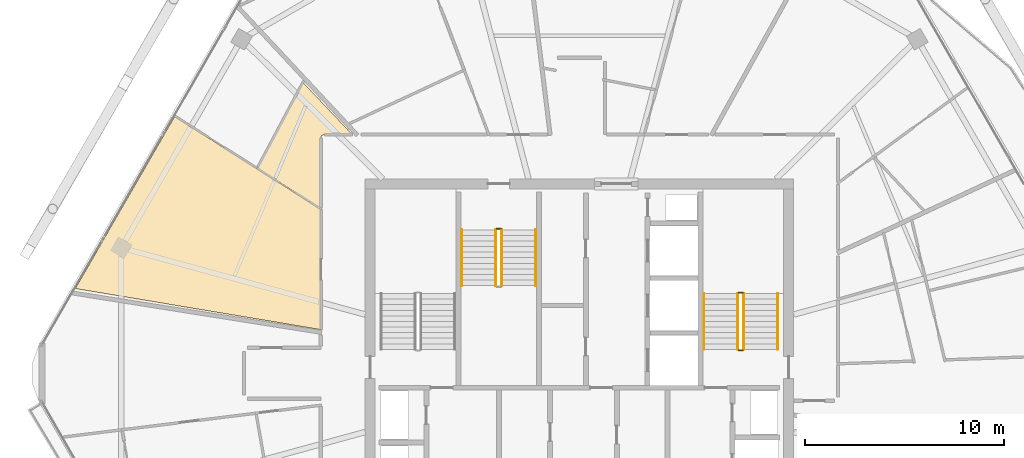
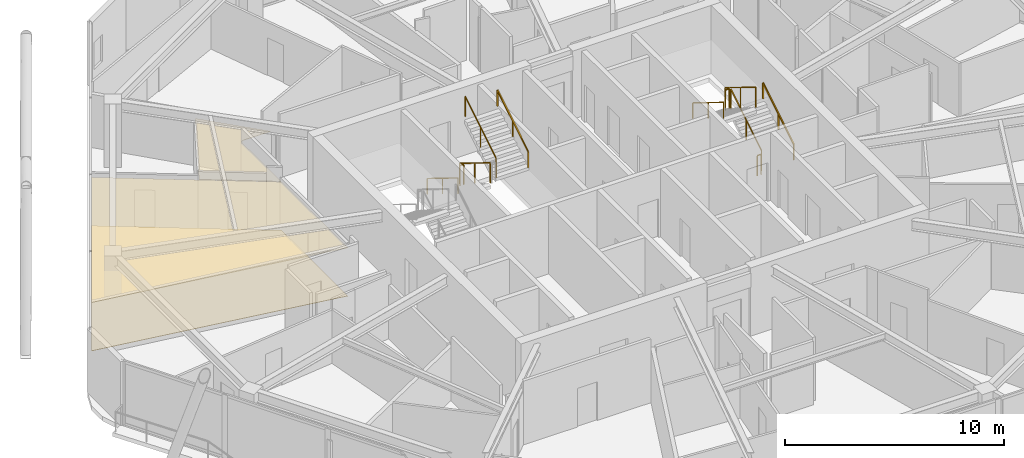
# One storey, part 22 of 23: 11 railings, 3 coverings.
"""IFC4 building model written with IfcOpenShell, lengths in metres."""

import ifcopenshell
import ifcopenshell.guid

model = None  # the IFC model being written
_history = None  # IfcOwnerHistory: only IFC2X3 demands one
_inside = {}  # id of a spatial element -> (the spatial element, [elements in it])
_under = {}  # id of a project, library or spatial element -> (it, [spatial elements below it])
_declared = {}  # id of a project -> (the project, [libraries it declares])
_typed = {}  # id of a type object -> (the type object, [elements of that type])
_made_of = {}  # id of a material, layer set ... -> (it, [elements and type objects made of it])


def new_model(schema):
    """Start an empty IFC model of exactly this schema.

    Asked for "IFC4X3", IfcOpenShell would pick the latest addendum, in which some entities
    have other attributes; the version numbers below select the first issue.
    IFC2X3 requires an IfcOwnerHistory on every rooted entity: one is made here for all.
    """
    global model, _history
    if schema == "IFC4X3":
        model = ifcopenshell.file(schema_version=(4, 3, 0, 0))
    else:
        model = ifcopenshell.file(schema=schema)
    _inside.clear()
    _under.clear()
    _declared.clear()
    _typed.clear()
    _made_of.clear()
    _history = None
    if model.schema == "IFC2X3":
        org = make("IfcOrganization", Name="unknown")
        user = make(
            "IfcPersonAndOrganization",
            ThePerson=make("IfcPerson", FamilyName="unknown"),
            TheOrganization=org,
        )
        app = make(
            "IfcApplication",
            ApplicationDeveloper=org,
            Version="unknown",
            ApplicationFullName="unknown",
            ApplicationIdentifier="unknown",
        )
        _history = make(
            "IfcOwnerHistory",
            OwningUser=user,
            OwningApplication=app,
            ChangeAction="ADDED",
            CreationDate=0,
        )
    return model


def make(cls, **values):
    """One entity of the class cls with the attributes given. An attribute that is None is left unset."""
    return model.create_entity(
        cls, **{name: value for name, value in values.items() if value is not None}
    )


def rooted(cls, **values):
    """An entity with a GlobalId (a new one), such as an element, a storey or a relation."""
    return make(cls, GlobalId=ifcopenshell.guid.new(), OwnerHistory=_history, **values)


def si_unit(unit_type, name, prefix=None):
    """IfcSIUnit, for example si_unit("LENGTHUNIT", "METRE", prefix="MILLI")."""
    return make("IfcSIUnit", UnitType=unit_type, Prefix=prefix, Name=name)


def assignment(units):
    """IfcUnitAssignment: the units of a project."""
    return None if units is None else make("IfcUnitAssignment", Units=units)


def point(xyz):
    """IfcCartesianPoint."""
    return None if xyz is None else make("IfcCartesianPoint", Coordinates=xyz)


def direction(xyz):
    """IfcDirection."""
    return None if xyz is None else make("IfcDirection", DirectionRatios=xyz)


def frame(location, z_axis=None, x_axis=None):
    """IfcAxis2Placement3D, a coordinate frame: its origin and axes. An axis left out is left unset."""
    return make(
        "IfcAxis2Placement3D",
        Location=point(location),
        Axis=direction(z_axis),
        RefDirection=direction(x_axis),
    )


def frame_2d(location, x_axis=None):
    """IfcAxis2Placement2D, a coordinate frame in the plane: its origin and x axis."""
    return make(
        "IfcAxis2Placement2D", Location=point(location), RefDirection=direction(x_axis)
    )


def origin():
    """The frame at (0, 0, 0) with its axes left unset."""
    return frame((0.0, 0.0, 0.0))


def origin_2d():
    """The frame at (0, 0) in the plane with its x axis left unset."""
    return frame_2d((0.0, 0.0))


def place(relative_to, where):
    """IfcLocalPlacement: puts the frame where relative to a parent placement (None: the world)."""
    return make(
        "IfcLocalPlacement", PlacementRelTo=relative_to, RelativePlacement=where
    )


def context(
    kind, dimensions, precision=None, world=None, true_north=None, identifier=None
):
    """IfcGeometricRepresentationContext, for example the 3D "Model" context."""
    return make(
        "IfcGeometricRepresentationContext",
        ContextIdentifier=identifier,
        ContextType=kind,
        CoordinateSpaceDimension=dimensions,
        Precision=precision,
        WorldCoordinateSystem=world,
        TrueNorth=true_north,
    )


def subcontext(parent, identifier, kind, view, scale=None):
    """IfcGeometricRepresentationSubContext, for example "Body" below "Model"."""
    return make(
        "IfcGeometricRepresentationSubContext",
        ContextIdentifier=identifier,
        ContextType=kind,
        ParentContext=parent,
        TargetScale=scale,
        TargetView=view,
    )


def project(units=None, contexts=None):
    """IfcProject with its units and contexts."""
    return rooted(
        "IfcProject",
        Name="project",
        RepresentationContexts=contexts,
        UnitsInContext=assignment(units),
    )


def spatial(cls, under=None, at=None, **own):
    """A site, building, storey or space (cls), placed at a placement, below another one or the project."""
    s = rooted(cls, ObjectPlacement=at, **own)
    if under is not None:
        _under.setdefault(under.id(), (under, []))[1].append(s)
    return s


def polyline(points):
    """IfcPolyline through the points."""
    return make("IfcPolyline", Points=[point(p) for p in points])


def profile(cls, at=None, kind="AREA", **sizes):
    """A parametric profile (cls). Its sizes go by their IFC names, for example OverallWidth=200.0."""
    return make(cls, ProfileType=kind, Position=at, **sizes)


def rectangle(**sizes):
    """IfcRectangleProfileDef."""
    return profile("IfcRectangleProfileDef", **sizes)


def outline(outer, holes=None, kind="AREA"):
    """IfcArbitraryClosedProfileDef: a profile drawn as a closed curve; with holes, ...WithVoids."""
    if holes is None:
        return make("IfcArbitraryClosedProfileDef", ProfileType=kind, OuterCurve=outer)
    return make(
        "IfcArbitraryProfileDefWithVoids",
        ProfileType=kind,
        OuterCurve=outer,
        InnerCurves=holes,
    )


def extrude(swept, where, along, depth):
    """IfcExtrudedAreaSolid: the profile swept, set in the frame where, extruded along a direction by depth."""
    return make(
        "IfcExtrudedAreaSolid",
        SweptArea=swept,
        Position=where,
        ExtrudedDirection=direction(along),
        Depth=depth,
    )


def shape(context_of_items, identifier, shape_type, items):
    """IfcShapeRepresentation: the items that make up one representation, for example the "Body"."""
    return make(
        "IfcShapeRepresentation",
        ContextOfItems=context_of_items,
        RepresentationIdentifier=identifier,
        RepresentationType=shape_type,
        Items=items,
    )


def material(Name=None, Category=None):
    """IfcMaterial."""
    return make("IfcMaterial", Name=Name, Category=Category)


def layer(
    of_material, thickness, ventilated=None, Name=None, Category=None, Priority=None
):
    """IfcMaterialLayer: one layer of a wall or slab, of a material (None: an air gap)."""
    return make(
        "IfcMaterialLayer",
        Material=of_material,
        LayerThickness=thickness,
        IsVentilated=ventilated,
        Name=Name,
        Category=Category,
        Priority=Priority,
    )


def layer_set(layers, Name=None):
    """IfcMaterialLayerSet."""
    return make("IfcMaterialLayerSet", MaterialLayers=layers, LayerSetName=Name)


def made_of(thing, what):
    """Note that an element or type object is made of a material, layer set ...; save() writes the relation."""
    if what is not None:
        _made_of.setdefault(what.id(), (what, []))[1].append(thing)
    return thing


def type_object(cls, material=None, **own):
    """A type object (cls), such as IfcWallType, which elements share."""
    return made_of(rooted(cls, **own), material)


def element(
    cls,
    number,
    at=None,
    inside=None,
    cuts=None,
    type_object=None,
    material=None,
    context=None,
    identifier="Body",
    shape_type=None,
    held_by="IfcProductDefinitionShape",
    body=None,
    shapes=None,
    **own,
):
    """One element of the class cls, such as IfcWall. Its Tag is "e" and its number.

    at: its placement. inside: the storey or other place that contains it. cuts: it is an
    opening in that element (IfcRelVoidsElement). A single representation is given by context,
    identifier, shape_type and body (its items); several are given by shapes. held_by: the class
    of the entity that holds the representations. save() writes the other relations.
    """
    e = rooted(cls, Tag="e%d" % number, ObjectPlacement=at, **own)
    if body is not None:
        shapes = [shape(context, identifier, shape_type, body)]
    if shapes is not None:
        e.Representation = make(held_by, Representations=shapes)
    if inside is not None:
        _inside.setdefault(inside.id(), (inside, []))[1].append(e)
    if cuts is not None:
        rooted(
            "IfcRelVoidsElement", RelatingBuildingElement=cuts, RelatedOpeningElement=e
        )
    if type_object is not None:
        _typed.setdefault(type_object.id(), (type_object, []))[1].append(e)
    return made_of(e, material)


def aggregate(whole, parts):
    """IfcRelAggregates: a whole, such as a stair, and the parts it consists of."""
    return rooted("IfcRelAggregates", RelatingObject=whole, RelatedObjects=parts)


def save(model, path):
    """Write the relations noted so far, then the file.

    IfcRelAggregates (storeys below a building ...), IfcRelContainedInSpatialStructure (elements
    in a storey), IfcRelDefinesByType, IfcRelAssociatesMaterial and IfcRelDeclares: one each for
    every whole, place, type object, material and project.
    """
    for whole, parts in _under.values():
        aggregate(whole, parts)
    for where, things in _inside.values():
        rooted(
            "IfcRelContainedInSpatialStructure",
            RelatedElements=things,
            RelatingStructure=where,
        )
    for kind, things in _typed.values():
        rooted("IfcRelDefinesByType", RelatedObjects=things, RelatingType=kind)
    for what, things in _made_of.values():
        rooted("IfcRelAssociatesMaterial", RelatedObjects=things, RelatingMaterial=what)
    for by, libraries in _declared.values():
        rooted("IfcRelDeclares", RelatingContext=by, RelatedDefinitions=libraries)
    model.write(path)


model = new_model("IFC4")

# Units and contexts
model_context = context("Model", 3, precision=1e-05, world=origin(), true_north=direction((0.0, 1.0)))
body_context = subcontext(model_context, "Body", "Model", "MODEL_VIEW")
ifc_project = project(units=[si_unit("LENGTHUNIT", "METRE"), si_unit("AREAUNIT", "SQUARE_METRE"), si_unit("VOLUMEUNIT", "CUBIC_METRE"), si_unit("PLANEANGLEUNIT", "RADIAN"), si_unit("MASSUNIT", "GRAM", prefix="KILO")], contexts=[model_context])

# Site, building, storey
site_placement = place(None, origin())
site = spatial("IfcSite", under=ifc_project, at=site_placement, CompositionType="ELEMENT")
building_placement = place(site_placement, origin())
building = spatial("IfcBuilding", under=site, at=building_placement, Name="Zuhravey Tower", CompositionType="ELEMENT")
storey_placement = place(building_placement, frame((0.0, 0.0, 331.0)))
storey = spatial("IfcBuildingStorey", under=building, at=storey_placement, Name="L84", CompositionType="ELEMENT", Elevation=331.0)

# Coverings
ifc_material_1 = material(Name="Mineral-fibre acoustic ceiling tile")
ifc_layer_1 = layer(ifc_material_1, 0.02490234375)
ifc_layer_set_1 = layer_set([ifc_layer_1], Name="Mineral-fibre acoustic ceiling tile")
covering_type_1 = type_object("IfcCoveringType", Name="Acoustic Suspended Ceiling", PredefinedType="CEILING", material=ifc_layer_set_1)
covering_1_placement = place(storey_placement, frame((0.0, 0.0, 2.68994140625)))
element("IfcCovering", 1, at=covering_1_placement, inside=storey, type_object=covering_type_1, Name="L84 Acoustic Suspended Ceiling CLG1", PredefinedType="CEILING", context=body_context, shape_type="SweptSolid", body=[
    extrude(outline(polyline([(10.70361328125, 36.25341796875), (15.68798828125, 44.88671875), (23.02001953125, 40.226318359375), (23.02001953125, 34.1923828125), (10.70361328125, 36.25341796875)])), origin(), (0.0, 0.0, 1.0), 0.025146484375),
])
ifc_material_2 = material(Name="Porcelain tile finish")
ifc_layer_2 = layer(ifc_material_2, 0.02001953125)
ifc_layer_set_2 = layer_set([ifc_layer_2], Name="Porcelain tile finish")
covering_type_2 = type_object("IfcCoveringType", Name="Apartment Ondol Porcelain Flooring", PredefinedType="FLOORING", material=ifc_layer_set_2)
covering_2_placement = place(storey_placement, origin())
element("IfcCovering", 2, at=covering_2_placement, inside=storey, type_object=covering_type_2, Name="L84 Principal Room Acoustic Flooring", PredefinedType="FLOORING", context=body_context, shape_type="SweptSolid", body=[
    extrude(outline(polyline([(10.70361328125, 36.25341796875), (15.68798828125, 44.88671875), (23.02001953125, 40.226318359375), (23.02001953125, 34.1923828125), (10.70361328125, 36.25341796875)])), origin(), (0.0, 0.0, 1.0), 0.02001953125),
])
ifc_material_3 = material(Name="Moisture-resistant gypsum ceiling board")
ifc_layer_3 = layer(ifc_material_3, 0.02001953125)
ifc_layer_set_3 = layer_set([ifc_layer_3], Name="Moisture-resistant gypsum ceiling board")
covering_type_3 = type_object("IfcCoveringType", Name="Moisture-Resistant Ceiling", PredefinedType="CEILING", material=ifc_layer_set_3)
covering_3_placement = place(storey_placement, frame((0.0, 0.0, 2.68994140625)))
element("IfcCovering", 3, at=covering_3_placement, inside=storey, type_object=covering_type_3, Name="L84 Wet-Room Ceiling CLG2", PredefinedType="CEILING", context=body_context, shape_type="SweptSolid", body=[
    extrude(outline(polyline([(23.183349609375, 43.979248046875), (23.148681640625, 43.972412109375), (23.115966796875, 43.959228515625), (23.072021484375, 43.926513671875), (23.0498046875, 43.899169921875), (23.0341796875, 43.869873046875), (23.023681640625, 43.836181640625), (23.02001953125, 43.801025390625), (23.02001953125, 40.273681640625), (19.85302734375, 42.28662109375), (22.135986328125, 46.58056640625), (24.603759765625, 43.97998046875), (23.183349609375, 43.979248046875)])), origin(), (0.0, 0.0, 1.0), 0.02001953125),
])

# Railings
ifc_material_4 = material(Name="Brushed stainless steel", Category="steel")
railing_type_1 = type_object("IfcRailingType", Name="Stair Wall Handrail 900", PredefinedType="HANDRAIL", material=ifc_material_4)
railing_1_placement = place(storey_placement, frame((45.949951171875, 33.199951171875, 0.172607421875)))
element("IfcRailing", 4, at=railing_1_placement, inside=storey, type_object=railing_type_1, Name="L84 ST2 stair handrail 1", PredefinedType="HANDRAIL", context=body_context, shape_type="SweptSolid", body=[
    extrude(rectangle(XDim=0.048095703125, YDim=0.048095703125, at=origin_2d()), frame((0.0, 0.001708984375, 0.876953125), z_axis=(0.0, 0.851089632645, 0.525020415988), x_axis=(-1.0, 0.0, 0.0)), (0.0, 0.0, 1.0), 3.285888671875),
    extrude(rectangle(XDim=0.0419921875, YDim=0.0419921875, at=origin_2d()), origin(), (0.0, 0.0, 1.0), 0.849853515625),
    extrude(rectangle(XDim=0.0419921875, YDim=0.0419921875, at=origin_2d()), frame((0.0, 1.39990234375, 0.86376953125)), (0.0, 0.0, 1.0), 0.849853515625),
    extrude(rectangle(XDim=0.0419921875, YDim=0.0419921875, at=origin_2d()), frame((0.0, 2.800048828125, 1.727294921875)), (0.0, 0.0, 1.0), 0.849853515625),
])
for number, where, name in (
    (5, (42.25, 36.0, 2.07275390625), "L84 ST2 stair handrail 2"),
    (6, (30.10009765625, 39.199951171875, 0.172607421875), "L84 ST3 stair handrail 1"),
):
    element("IfcRailing", number, at=place(storey_placement, frame(where)), inside=storey, type_object=railing_type_1, Name=name, PredefinedType="HANDRAIL", context=body_context, shape_type="SweptSolid", body=[
        extrude(rectangle(XDim=0.048095703125, YDim=0.048095703125, at=origin_2d()), frame((0.0, -0.001708984375, 0.876953125), z_axis=(0.0, -0.851089632645, 0.525020415988), x_axis=(1.0, 0.0, 0.0)), (0.0, 0.0, 1.0), 3.285888671875),
        extrude(rectangle(XDim=0.0419921875, YDim=0.0419921875, at=origin_2d()), origin(), (0.0, 0.0, 1.0), 0.849853515625),
        extrude(rectangle(XDim=0.0419921875, YDim=0.0419921875, at=origin_2d()), frame((0.0, -1.39990234375, 0.86376953125)), (0.0, 0.0, 1.0), 0.849853515625),
        extrude(rectangle(XDim=0.0419921875, YDim=0.0419921875, at=origin_2d()), frame((0.0, -2.800048828125, 1.727294921875)), (0.0, 0.0, 1.0), 0.849853515625),
    ])
railing_2_placement = place(storey_placement, frame((33.800048828125, 36.39990234375, 2.07275390625)))
element("IfcRailing", 7, at=railing_2_placement, inside=storey, type_object=railing_type_1, Name="L84 ST3 stair handrail 2", PredefinedType="HANDRAIL", context=body_context, shape_type="SweptSolid", body=[
    extrude(rectangle(XDim=0.048095703125, YDim=0.048095703125, at=origin_2d()), frame((0.0, 0.001708984375, 0.876953125), z_axis=(0.0, 0.851089632645, 0.525020415988), x_axis=(-1.0, 0.0, 0.0)), (0.0, 0.0, 1.0), 3.285888671875),
    extrude(rectangle(XDim=0.0419921875, YDim=0.0419921875, at=origin_2d()), origin(), (0.0, 0.0, 1.0), 0.849853515625),
    extrude(rectangle(XDim=0.0419921875, YDim=0.0419921875, at=origin_2d()), frame((0.0, 1.39990234375, 0.86376953125)), (0.0, 0.0, 1.0), 0.849853515625),
    extrude(rectangle(XDim=0.0419921875, YDim=0.0419921875, at=origin_2d()), frame((0.0, 2.800048828125, 1.727294921875)), (0.0, 0.0, 1.0), 0.849853515625),
])
ifc_material_5 = material(Name="Painted tubular steel", Category="steel")
railing_type_2 = type_object("IfcRailingType", Name="Stair Well Guardrail 1150", PredefinedType="GUARDRAIL", material=ifc_material_5)
railing_3_placement = place(storey_placement, frame((44.25, 33.199951171875, 0.172607421875)))
element("IfcRailing", 8, at=railing_3_placement, inside=storey, type_object=railing_type_2, Name="L84 ST2 stair guard 1", PredefinedType="GUARDRAIL", context=body_context, shape_type="SweptSolid", body=[
    extrude(rectangle(XDim=0.048095703125, YDim=0.048095703125, at=origin_2d()), frame((0.0, 0.001708984375, 1.126953125), z_axis=(0.0, 0.851089632645, 0.525020415988), x_axis=(-1.0, 0.0, 0.0)), (0.0, 0.0, 1.0), 3.285888671875),
    extrude(rectangle(XDim=0.0419921875, YDim=0.0419921875, at=origin_2d()), origin(), (0.0, 0.0, 1.0), 1.099853515625),
    extrude(rectangle(XDim=0.0419921875, YDim=0.0419921875, at=origin_2d()), frame((0.0, 1.39990234375, 0.86376953125)), (0.0, 0.0, 1.0), 1.099853515625),
    extrude(rectangle(XDim=0.0419921875, YDim=0.0419921875, at=origin_2d()), frame((0.0, 2.800048828125, 1.727294921875)), (0.0, 0.0, 1.0), 1.099853515625),
])
railing_4_placement = place(storey_placement, frame((44.199951171875, 36.050048828125, 1.89990234375)))
element("IfcRailing", 9, at=railing_4_placement, inside=storey, type_object=railing_type_2, Name="L84 ST2 stair guard 2", PredefinedType="GUARDRAIL", context=body_context, shape_type="SweptSolid", body=[
    extrude(rectangle(XDim=0.048095703125, YDim=0.048095703125, at=origin_2d()), frame((-0.001953125, 0.0, 1.1259765625), z_axis=(-1.0, 0.0, 0.0), x_axis=(0.0, -1.0, 0.0)), (0.0, 0.0, 1.0), 0.196044921875),
    extrude(rectangle(XDim=0.0419921875, YDim=0.0419921875, at=origin_2d()), origin(), (0.0, 0.0, 1.0), 1.099853515625),
    extrude(rectangle(XDim=0.0419921875, YDim=0.0419921875, at=origin_2d()), frame((-0.199951171875, 0.0, 0.0)), (0.0, 0.0, 1.0), 1.099853515625),
])
railing_5_placement = place(storey_placement, frame((43.949951171875, 36.0, 2.07275390625)))
element("IfcRailing", 10, at=railing_5_placement, inside=storey, type_object=railing_type_2, Name="L84 ST2 stair guard 3", PredefinedType="GUARDRAIL", context=body_context, shape_type="SweptSolid", body=[
    extrude(rectangle(XDim=0.048095703125, YDim=0.048095703125, at=origin_2d()), frame((0.0, -0.001708984375, 1.126953125), z_axis=(0.0, -0.851089632645, 0.525020415988), x_axis=(1.0, 0.0, 0.0)), (0.0, 0.0, 1.0), 3.285888671875),
    extrude(rectangle(XDim=0.0419921875, YDim=0.0419921875, at=origin_2d()), origin(), (0.0, 0.0, 1.0), 1.099853515625),
    extrude(rectangle(XDim=0.0419921875, YDim=0.0419921875, at=origin_2d()), frame((0.0, -1.39990234375, 0.86376953125)), (0.0, 0.0, 1.0), 1.099853515625),
    extrude(rectangle(XDim=0.0419921875, YDim=0.0419921875, at=origin_2d()), frame((0.0, -2.800048828125, 1.727294921875)), (0.0, 0.0, 1.0), 1.099853515625),
])
railing_6_placement = place(storey_placement, frame((44.199951171875, 33.14990234375, 0.0)))
element("IfcRailing", 11, at=railing_6_placement, inside=storey, type_object=railing_type_2, Name="L84 ST2 stair guard 4", PredefinedType="GUARDRAIL", context=body_context, shape_type="SweptSolid", body=[
    extrude(rectangle(XDim=0.048095703125, YDim=0.048095703125, at=origin_2d()), frame((-0.001953125, 0.0, 1.1259765625), z_axis=(-1.0, 0.0, 0.0), x_axis=(0.0, -1.0, 0.0)), (0.0, 0.0, 1.0), 0.196044921875),
    extrude(rectangle(XDim=0.0419921875, YDim=0.0419921875, at=origin_2d()), origin(), (0.0, 0.0, 1.0), 1.099853515625),
    extrude(rectangle(XDim=0.0419921875, YDim=0.0419921875, at=origin_2d()), frame((-0.199951171875, 0.0, 0.0)), (0.0, 0.0, 1.0), 1.099853515625),
])
railing_7_placement = place(storey_placement, frame((31.800048828125, 39.199951171875, 0.172607421875)))
element("IfcRailing", 12, at=railing_7_placement, inside=storey, type_object=railing_type_2, Name="L84 ST3 stair guard 1", PredefinedType="GUARDRAIL", context=body_context, shape_type="SweptSolid", body=[
    extrude(rectangle(XDim=0.048095703125, YDim=0.048095703125, at=origin_2d()), frame((0.0, -0.001708984375, 1.126953125), z_axis=(0.0, -0.851089632645, 0.525020415988), x_axis=(1.0, 0.0, 0.0)), (0.0, 0.0, 1.0), 3.285888671875),
    extrude(rectangle(XDim=0.0419921875, YDim=0.0419921875, at=origin_2d()), origin(), (0.0, 0.0, 1.0), 1.099853515625),
    extrude(rectangle(XDim=0.0419921875, YDim=0.0419921875, at=origin_2d()), frame((0.0, -1.39990234375, 0.86376953125)), (0.0, 0.0, 1.0), 1.099853515625),
    extrude(rectangle(XDim=0.0419921875, YDim=0.0419921875, at=origin_2d()), frame((0.0, -2.800048828125, 1.727294921875)), (0.0, 0.0, 1.0), 1.099853515625),
])
railing_8_placement = place(storey_placement, frame((32.10009765625, 36.39990234375, 2.07275390625)))
element("IfcRailing", 13, at=railing_8_placement, inside=storey, type_object=railing_type_2, Name="L84 ST3 stair guard 3", PredefinedType="GUARDRAIL", context=body_context, shape_type="SweptSolid", body=[
    extrude(rectangle(XDim=0.048095703125, YDim=0.048095703125, at=origin_2d()), frame((0.0, 0.001708984375, 1.126953125), z_axis=(0.0, 0.851089632645, 0.525020415988), x_axis=(-1.0, 0.0, 0.0)), (0.0, 0.0, 1.0), 3.285888671875),
    extrude(rectangle(XDim=0.0419921875, YDim=0.0419921875, at=origin_2d()), origin(), (0.0, 0.0, 1.0), 1.099853515625),
    extrude(rectangle(XDim=0.0419921875, YDim=0.0419921875, at=origin_2d()), frame((0.0, 1.39990234375, 0.86376953125)), (0.0, 0.0, 1.0), 1.099853515625),
    extrude(rectangle(XDim=0.0419921875, YDim=0.0419921875, at=origin_2d()), frame((0.0, 2.800048828125, 1.727294921875)), (0.0, 0.0, 1.0), 1.099853515625),
])
railing_9_placement = place(storey_placement, frame((31.85009765625, 39.25, 0.0)))
element("IfcRailing", 14, at=railing_9_placement, inside=storey, type_object=railing_type_2, Name="L84 ST3 stair guard 4", PredefinedType="GUARDRAIL", context=body_context, shape_type="SweptSolid", body=[
    extrude(rectangle(XDim=0.048095703125, YDim=0.048095703125, at=origin_2d()), frame((0.001953125, 0.0, 1.1259765625), z_axis=(1.0, 0.0, 0.0), x_axis=(0.0, 1.0, 0.0)), (0.0, 0.0, 1.0), 0.196044921875),
    extrude(rectangle(XDim=0.0419921875, YDim=0.0419921875, at=origin_2d()), origin(), (0.0, 0.0, 1.0), 1.099853515625),
    extrude(rectangle(XDim=0.0419921875, YDim=0.0419921875, at=origin_2d()), frame((0.199951171875, 0.0, 0.0)), (0.0, 0.0, 1.0), 1.099853515625),
])

save(model, "model.ifc")
